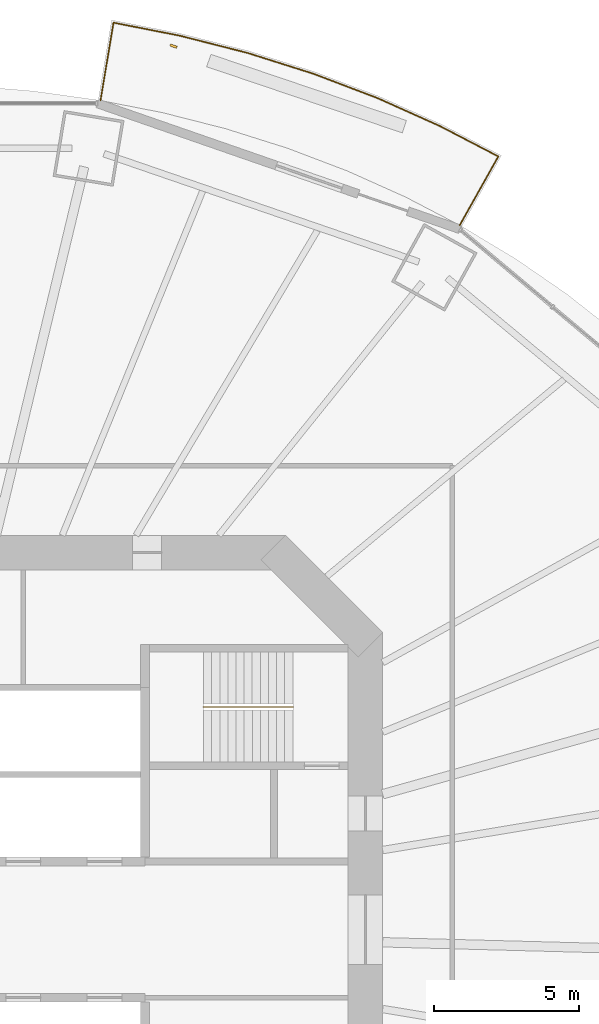
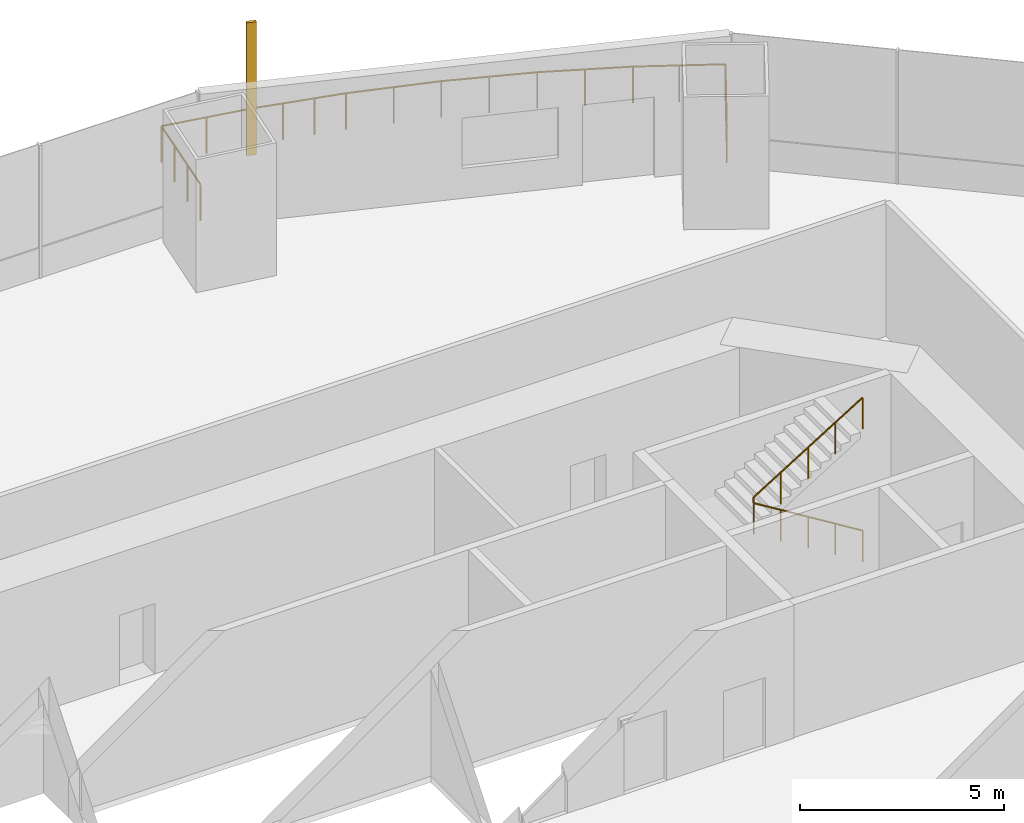
# One storey, part 20 of 22: 2 railings, 1 shading device.
"""IFC4 building model written with IfcOpenShell, lengths in metres."""

import ifcopenshell
import ifcopenshell.guid

model = None  # the IFC model being written
_history = None  # IfcOwnerHistory: only IFC2X3 demands one
_inside = {}  # id of a spatial element -> (the spatial element, [elements in it])
_under = {}  # id of a project, library or spatial element -> (it, [spatial elements below it])
_declared = {}  # id of a project -> (the project, [libraries it declares])
_typed = {}  # id of a type object -> (the type object, [elements of that type])
_made_of = {}  # id of a material, layer set ... -> (it, [elements and type objects made of it])


def new_model(schema):
    """Start an empty IFC model of exactly this schema.

    Asked for "IFC4X3", IfcOpenShell would pick the latest addendum, in which some entities
    have other attributes; the version numbers below select the first issue.
    IFC2X3 requires an IfcOwnerHistory on every rooted entity: one is made here for all.
    """
    global model, _history
    if schema == "IFC4X3":
        model = ifcopenshell.file(schema_version=(4, 3, 0, 0))
    else:
        model = ifcopenshell.file(schema=schema)
    _inside.clear()
    _under.clear()
    _declared.clear()
    _typed.clear()
    _made_of.clear()
    _history = None
    if model.schema == "IFC2X3":
        org = make("IfcOrganization", Name="unknown")
        user = make(
            "IfcPersonAndOrganization",
            ThePerson=make("IfcPerson", FamilyName="unknown"),
            TheOrganization=org,
        )
        app = make(
            "IfcApplication",
            ApplicationDeveloper=org,
            Version="unknown",
            ApplicationFullName="unknown",
            ApplicationIdentifier="unknown",
        )
        _history = make(
            "IfcOwnerHistory",
            OwningUser=user,
            OwningApplication=app,
            ChangeAction="ADDED",
            CreationDate=0,
        )
    return model


def make(cls, **values):
    """One entity of the class cls with the attributes given. An attribute that is None is left unset."""
    return model.create_entity(
        cls, **{name: value for name, value in values.items() if value is not None}
    )


def rooted(cls, **values):
    """An entity with a GlobalId (a new one), such as an element, a storey or a relation."""
    return make(cls, GlobalId=ifcopenshell.guid.new(), OwnerHistory=_history, **values)


def si_unit(unit_type, name, prefix=None):
    """IfcSIUnit, for example si_unit("LENGTHUNIT", "METRE", prefix="MILLI")."""
    return make("IfcSIUnit", UnitType=unit_type, Prefix=prefix, Name=name)


def assignment(units):
    """IfcUnitAssignment: the units of a project."""
    return None if units is None else make("IfcUnitAssignment", Units=units)


def point(xyz):
    """IfcCartesianPoint."""
    return None if xyz is None else make("IfcCartesianPoint", Coordinates=xyz)


def direction(xyz):
    """IfcDirection."""
    return None if xyz is None else make("IfcDirection", DirectionRatios=xyz)


def frame(location, z_axis=None, x_axis=None):
    """IfcAxis2Placement3D, a coordinate frame: its origin and axes. An axis left out is left unset."""
    return make(
        "IfcAxis2Placement3D",
        Location=point(location),
        Axis=direction(z_axis),
        RefDirection=direction(x_axis),
    )


def frame_2d(location, x_axis=None):
    """IfcAxis2Placement2D, a coordinate frame in the plane: its origin and x axis."""
    return make(
        "IfcAxis2Placement2D", Location=point(location), RefDirection=direction(x_axis)
    )


def origin():
    """The frame at (0, 0, 0) with its axes left unset."""
    return frame((0.0, 0.0, 0.0))


def origin_2d():
    """The frame at (0, 0) in the plane with its x axis left unset."""
    return frame_2d((0.0, 0.0))


def place(relative_to, where):
    """IfcLocalPlacement: puts the frame where relative to a parent placement (None: the world)."""
    return make(
        "IfcLocalPlacement", PlacementRelTo=relative_to, RelativePlacement=where
    )


def context(
    kind, dimensions, precision=None, world=None, true_north=None, identifier=None
):
    """IfcGeometricRepresentationContext, for example the 3D "Model" context."""
    return make(
        "IfcGeometricRepresentationContext",
        ContextIdentifier=identifier,
        ContextType=kind,
        CoordinateSpaceDimension=dimensions,
        Precision=precision,
        WorldCoordinateSystem=world,
        TrueNorth=true_north,
    )


def subcontext(parent, identifier, kind, view, scale=None):
    """IfcGeometricRepresentationSubContext, for example "Body" below "Model"."""
    return make(
        "IfcGeometricRepresentationSubContext",
        ContextIdentifier=identifier,
        ContextType=kind,
        ParentContext=parent,
        TargetScale=scale,
        TargetView=view,
    )


def project(units=None, contexts=None):
    """IfcProject with its units and contexts."""
    return rooted(
        "IfcProject",
        Name="project",
        RepresentationContexts=contexts,
        UnitsInContext=assignment(units),
    )


def spatial(cls, under=None, at=None, **own):
    """A site, building, storey or space (cls), placed at a placement, below another one or the project."""
    s = rooted(cls, ObjectPlacement=at, **own)
    if under is not None:
        _under.setdefault(under.id(), (under, []))[1].append(s)
    return s


def profile(cls, at=None, kind="AREA", **sizes):
    """A parametric profile (cls). Its sizes go by their IFC names, for example OverallWidth=200.0."""
    return make(cls, ProfileType=kind, Position=at, **sizes)


def rectangle(**sizes):
    """IfcRectangleProfileDef."""
    return profile("IfcRectangleProfileDef", **sizes)


def circle(**sizes):
    """IfcCircleProfileDef."""
    return profile("IfcCircleProfileDef", **sizes)


def extrude(swept, where, along, depth):
    """IfcExtrudedAreaSolid: the profile swept, set in the frame where, extruded along a direction by depth."""
    return make(
        "IfcExtrudedAreaSolid",
        SweptArea=swept,
        Position=where,
        ExtrudedDirection=direction(along),
        Depth=depth,
    )


def shape(context_of_items, identifier, shape_type, items):
    """IfcShapeRepresentation: the items that make up one representation, for example the "Body"."""
    return make(
        "IfcShapeRepresentation",
        ContextOfItems=context_of_items,
        RepresentationIdentifier=identifier,
        RepresentationType=shape_type,
        Items=items,
    )


def material(Name=None, Category=None):
    """IfcMaterial."""
    return make("IfcMaterial", Name=Name, Category=Category)


def material_profile(
    of_material, cross_section, Name=None, Category=None, Priority=None
):
    """IfcMaterialProfile: a cross section and its material."""
    return make(
        "IfcMaterialProfile",
        Name=Name,
        Material=of_material,
        Profile=cross_section,
        Priority=Priority,
        Category=Category,
    )


def profile_set(profiles, Name=None, composite=None):
    """IfcMaterialProfileSet."""
    return make(
        "IfcMaterialProfileSet",
        Name=Name,
        MaterialProfiles=profiles,
        CompositeProfile=composite,
    )


def made_of(thing, what):
    """Note that an element or type object is made of a material, layer set ...; save() writes the relation."""
    if what is not None:
        _made_of.setdefault(what.id(), (what, []))[1].append(thing)
    return thing


def type_object(cls, material=None, **own):
    """A type object (cls), such as IfcWallType, which elements share."""
    return made_of(rooted(cls, **own), material)


def element(
    cls,
    number,
    at=None,
    inside=None,
    cuts=None,
    type_object=None,
    material=None,
    context=None,
    identifier="Body",
    shape_type=None,
    held_by="IfcProductDefinitionShape",
    body=None,
    shapes=None,
    **own,
):
    """One element of the class cls, such as IfcWall. Its Tag is "e" and its number.

    at: its placement. inside: the storey or other place that contains it. cuts: it is an
    opening in that element (IfcRelVoidsElement). A single representation is given by context,
    identifier, shape_type and body (its items); several are given by shapes. held_by: the class
    of the entity that holds the representations. save() writes the other relations.
    """
    e = rooted(cls, Tag="e%d" % number, ObjectPlacement=at, **own)
    if body is not None:
        shapes = [shape(context, identifier, shape_type, body)]
    if shapes is not None:
        e.Representation = make(held_by, Representations=shapes)
    if inside is not None:
        _inside.setdefault(inside.id(), (inside, []))[1].append(e)
    if cuts is not None:
        rooted(
            "IfcRelVoidsElement", RelatingBuildingElement=cuts, RelatedOpeningElement=e
        )
    if type_object is not None:
        _typed.setdefault(type_object.id(), (type_object, []))[1].append(e)
    return made_of(e, material)


def aggregate(whole, parts):
    """IfcRelAggregates: a whole, such as a stair, and the parts it consists of."""
    return rooted("IfcRelAggregates", RelatingObject=whole, RelatedObjects=parts)


def save(model, path):
    """Write the relations noted so far, then the file.

    IfcRelAggregates (storeys below a building ...), IfcRelContainedInSpatialStructure (elements
    in a storey), IfcRelDefinesByType, IfcRelAssociatesMaterial and IfcRelDeclares: one each for
    every whole, place, type object, material and project.
    """
    for whole, parts in _under.values():
        aggregate(whole, parts)
    for where, things in _inside.values():
        rooted(
            "IfcRelContainedInSpatialStructure",
            RelatedElements=things,
            RelatingStructure=where,
        )
    for kind, things in _typed.values():
        rooted("IfcRelDefinesByType", RelatedObjects=things, RelatingType=kind)
    for what, things in _made_of.values():
        rooted("IfcRelAssociatesMaterial", RelatedObjects=things, RelatingMaterial=what)
    for by, libraries in _declared.values():
        rooted("IfcRelDeclares", RelatingContext=by, RelatedDefinitions=libraries)
    model.write(path)


model = new_model("IFC4")

# Units and contexts
model_context = context("Model", 3, precision=1e-05, world=origin(), true_north=direction((0.0, 1.0)))
body_context = subcontext(model_context, "Body", "Model", "MODEL_VIEW")
ifc_project = project(units=[si_unit("LENGTHUNIT", "METRE"), si_unit("AREAUNIT", "SQUARE_METRE"), si_unit("VOLUMEUNIT", "CUBIC_METRE"), si_unit("PLANEANGLEUNIT", "RADIAN"), si_unit("MASSUNIT", "GRAM", prefix="KILO")], contexts=[model_context])

# Site, building, storey
site_placement = place(None, origin())
site = spatial("IfcSite", under=ifc_project, at=site_placement, CompositionType="ELEMENT")
building_placement = place(site_placement, origin())
building = spatial("IfcBuilding", under=site, at=building_placement, Name="Marenthal Gate Tower", CompositionType="ELEMENT")
storey_placement = place(building_placement, frame((0.0, 0.0, 99.39990234375)))
storey = spatial("IfcBuildingStorey", under=building, at=storey_placement, Name="L20", CompositionType="ELEMENT", Elevation=99.39990234375)

# Railings
ifc_material_1 = material(Name="Stainless steel", Category="steel")
railing_type_1 = type_object("IfcRailingType", Name="Balcony guard 1100", PredefinedType="GUARDRAIL", material=ifc_material_1)
railing_1_placement = place(storey_placement, frame((6.86572265625, 28.59912109375, 0.0)))
element("IfcRailing", 1, at=railing_1_placement, inside=storey, type_object=railing_type_1, Name="Balcony guard L20 bay 3", PredefinedType="GUARDRAIL", context=body_context, shape_type="SweptSolid", body=[
    extrude(circle(Radius=0.02392578125, at=origin_2d()), frame((0.0, 0.0, 1.076171875), z_axis=(0.164585130929, 0.986254410528, -0.01462779517), x_axis=(-0.986359943071, 0.164602742092, 0.0)), (0.0, 0.0, 1.0), 2.720458984375),
    extrude(circle(Radius=0.02392578125, at=origin_2d()), frame((0.44775390625, 2.68310546875, 1.0361328125), z_axis=(0.981231836587, -0.192831747562, 0.0), x_axis=(0.192831747562, 0.981231836587, 0.0)), (0.0, 0.0, 1.0), 2.330810546875),
    extrude(circle(Radius=0.02392578125, at=origin_2d()), frame((2.73486328125, 2.233642578125, 1.0361328125), z_axis=(0.969123243842, -0.246576840449, 0.0), x_axis=(0.246576840449, 0.969123243842, 0.0)), (0.0, 0.0, 1.0), 2.401123046875),
    extrude(circle(Radius=0.02392578125, at=origin_2d()), frame((5.061767578125, 1.6416015625, 1.0361328125), z_axis=(0.953610460093, -0.301043336416, 0.0), x_axis=(0.301043336416, 0.953610460093, 0.0)), (0.0, 0.0, 1.0), 2.38916015625),
    extrude(circle(Radius=0.02392578125, at=origin_2d()), frame((7.340087890625, 0.92236328125, 1.0361328125), z_axis=(0.934799959644, -0.355174654852, 0.0), x_axis=(0.355174654852, 0.934799959644, 0.0)), (0.0, 0.0, 1.0), 2.37548828125),
    extrude(circle(Radius=0.02392578125, at=origin_2d()), frame((9.560791015625, 0.07861328125, 1.0361328125), z_axis=(0.91251864488, -0.409035111876, 0.0), x_axis=(0.409035111876, 0.91251864488, 0.0)), (0.0, 0.0, 1.0), 2.360107421875),
    extrude(circle(Radius=0.02392578125, at=origin_2d()), frame((11.71435546875, -0.88671875, 1.0361328125), z_axis=(0.887149676746, -0.461481799261, 0.0), x_axis=(0.461481799261, 0.887149676746, 0.0)), (0.0, 0.0, 1.0), 2.26318359375),
    extrude(circle(Radius=0.02392578125, at=origin_2d()), frame((13.72216796875, -1.93115234375, 1.0361328125), z_axis=(-0.489130352143, -0.87208800583, 0.01462903622), x_axis=(0.872181338021, -0.489182699621, 0.0)), (0.0, 0.0, 1.0), 2.72021484375),
    extrude(circle(Radius=0.02099609375, at=origin_2d()), origin(), (0.0, 0.0, 1.0), 1.052001953125),
    extrude(circle(Radius=0.02099609375, at=origin_2d()), frame((0.149169921875, 0.894287109375, -0.01318359375)), (0.0, 0.0, 1.0), 1.052001953125),
    extrude(circle(Radius=0.02099609375, at=origin_2d()), frame((0.298583984375, 1.788818359375, -0.026611328125)), (0.0, 0.0, 1.0), 1.052001953125),
    extrude(circle(Radius=0.02099609375, at=origin_2d()), frame((0.44775390625, 2.68310546875, -0.039794921875)), (0.0, 0.0, 1.0), 1.052001953125),
    extrude(circle(Radius=0.02099609375, at=origin_2d()), frame((1.59130859375, 2.45849609375, -0.039794921875)), (0.0, 0.0, 1.0), 1.052001953125),
    extrude(circle(Radius=0.02099609375, at=origin_2d()), frame((2.73486328125, 2.233642578125, -0.039794921875)), (0.0, 0.0, 1.0), 1.052001953125),
    extrude(circle(Radius=0.02099609375, at=origin_2d()), frame((3.510498046875, 2.036376953125, -0.039794921875)), (0.0, 0.0, 1.0), 1.052001953125),
    extrude(circle(Radius=0.02099609375, at=origin_2d()), frame((4.2861328125, 1.8388671875, -0.039794921875)), (0.0, 0.0, 1.0), 1.052001953125),
    extrude(circle(Radius=0.02099609375, at=origin_2d()), frame((5.061767578125, 1.6416015625, -0.039794921875)), (0.0, 0.0, 1.0), 1.052001953125),
    extrude(circle(Radius=0.02099609375, at=origin_2d()), frame((6.200927734375, 1.281982421875, -0.039794921875)), (0.0, 0.0, 1.0), 1.052001953125),
    extrude(circle(Radius=0.02099609375, at=origin_2d()), frame((7.340087890625, 0.92236328125, -0.039794921875)), (0.0, 0.0, 1.0), 1.052001953125),
    extrude(circle(Radius=0.02099609375, at=origin_2d()), frame((8.450439453125, 0.50048828125, -0.039794921875)), (0.0, 0.0, 1.0), 1.052001953125),
    extrude(circle(Radius=0.02099609375, at=origin_2d()), frame((9.560791015625, 0.07861328125, -0.039794921875)), (0.0, 0.0, 1.0), 1.052001953125),
    extrude(circle(Radius=0.02099609375, at=origin_2d()), frame((10.6376953125, -0.404052734375, -0.039794921875)), (0.0, 0.0, 1.0), 1.052001953125),
    extrude(circle(Radius=0.02099609375, at=origin_2d()), frame((11.71435546875, -0.88671875, -0.039794921875)), (0.0, 0.0, 1.0), 1.052001953125),
    extrude(circle(Radius=0.02099609375, at=origin_2d()), frame((12.71826171875, -1.408935546875, -0.039794921875)), (0.0, 0.0, 1.0), 1.052001953125),
    extrude(circle(Radius=0.02099609375, at=origin_2d()), frame((13.72216796875, -1.93115234375, -0.039794921875)), (0.0, 0.0, 1.0), 1.052001953125),
    extrude(circle(Radius=0.02099609375, at=origin_2d()), frame((13.278564453125, -2.721923828125, -0.026611328125)), (0.0, 0.0, 1.0), 1.052001953125),
    extrude(circle(Radius=0.02099609375, at=origin_2d()), frame((12.835205078125, -3.5126953125, -0.01318359375)), (0.0, 0.0, 1.0), 1.052001953125),
    extrude(circle(Radius=0.02099609375, at=origin_2d()), frame((12.3916015625, -4.303466796875, 0.0)), (0.0, 0.0, 1.0), 1.052001953125),
])
ifc_material_2 = material(Name="Stainless steel", Category="steel")
railing_type_2 = type_object("IfcRailingType", Name="Stair handrail", PredefinedType="HANDRAIL", material=ifc_material_2)
railing_2_placement = place(storey_placement, frame((13.5, 7.675048828125, 0.173095703125)))
element("IfcRailing", 2, at=railing_2_placement, inside=storey, type_object=railing_type_2, Name="Handrail ST3", PredefinedType="HANDRAIL", context=body_context, shape_type="SweptSolid", body=[
    extrude(circle(Radius=0.0224609375, at=origin_2d()), frame((0.0, 0.0, 0.927490234375), z_axis=(-0.850835241893, 0.0, 0.525432575268), x_axis=(0.0, -1.0, 0.0)), (0.0, 0.0, 1.0), 3.6201171875),
    extrude(circle(Radius=0.0224609375, at=origin_2d()), frame((-3.080078125, 0.0, 2.82958984375), z_axis=(0.0, 0.0, 1.0), x_axis=(1.0, 0.0, 0.0)), (0.0, 0.0, 1.0), 0.1728515625),
    extrude(circle(Radius=0.0224609375, at=origin_2d()), frame((-3.080078125, 0.0, 3.00244140625), z_axis=(0.850835241893, 0.0, 0.525432575268), x_axis=(0.0, 1.0, 0.0)), (0.0, 0.0, 1.0), 3.6201171875),
    extrude(circle(Radius=0.02001953125, at=origin_2d()), origin(), (0.0, 0.0, 1.0), 0.905029296875),
    extrude(circle(Radius=0.02001953125, at=origin_2d()), frame((-0.77001953125, 0.0, 0.4755859375)), (0.0, 0.0, 1.0), 0.905029296875),
    extrude(circle(Radius=0.02001953125, at=origin_2d()), frame((-1.5400390625, 0.0, 0.951171875)), (0.0, 0.0, 1.0), 0.905029296875),
    extrude(circle(Radius=0.02001953125, at=origin_2d()), frame((-2.31005859375, 0.0, 1.426513671875)), (0.0, 0.0, 1.0), 0.905029296875),
    extrude(circle(Radius=0.02001953125, at=origin_2d()), frame((-3.080078125, 0.0, 1.902099609375)), (0.0, 0.0, 1.0), 0.905029296875),
    extrude(circle(Radius=0.02001953125, at=origin_2d()), frame((-3.080078125, 0.0, 2.074951171875)), (0.0, 0.0, 1.0), 0.905029296875),
    extrude(circle(Radius=0.02001953125, at=origin_2d()), frame((-2.31005859375, 0.0, 2.550537109375)), (0.0, 0.0, 1.0), 0.905029296875),
    extrude(circle(Radius=0.02001953125, at=origin_2d()), frame((-1.5400390625, 0.0, 3.02587890625)), (0.0, 0.0, 1.0), 0.905029296875),
    extrude(circle(Radius=0.02001953125, at=origin_2d()), frame((-0.77001953125, 0.0, 3.50146484375)), (0.0, 0.0, 1.0), 0.905029296875),
    extrude(circle(Radius=0.02001953125, at=origin_2d()), frame((0.0, 0.0, 3.97705078125)), (0.0, 0.0, 1.0), 0.905029296875),
])

# Shading device
ifc_material_3 = material(Name="Terracotta", Category="masonry")
ifc_material_profile = material_profile(ifc_material_3, rectangle(XDim=0.25, YDim=0.080078125, at=origin_2d()), Name="Terracotta baguette 250x80")
ifc_profile_set = profile_set([ifc_material_profile], Name="Terracotta")
shading_device_type = type_object("IfcShadingDeviceType", Name="Terracotta BAGUETTE SCREEN 250x80", PredefinedType="USERDEFINED", material=ifc_profile_set)
shading_device_placement = place(storey_placement, frame((9.382568359375, 30.47314453125, -0.039794921875), z_axis=(0.0, 0.0, 1.0), x_axis=(-0.94461425051, 0.328182750512, 0.0)))
element("IfcShadingDevice", 3, at=shading_device_placement, inside=storey, type_object=shading_device_type, Name="Terracotta BAGUETTE L20 bay 3R", ObjectType="BAGUETTE SCREEN", PredefinedType="USERDEFINED", context=body_context, shape_type="SweptSolid", body=[
    extrude(rectangle(XDim=0.25, YDim=0.080078125, at=origin_2d()), origin(), (0.0, 0.0, 1.0), 3.969970703125),
])

save(model, "model.ifc")
